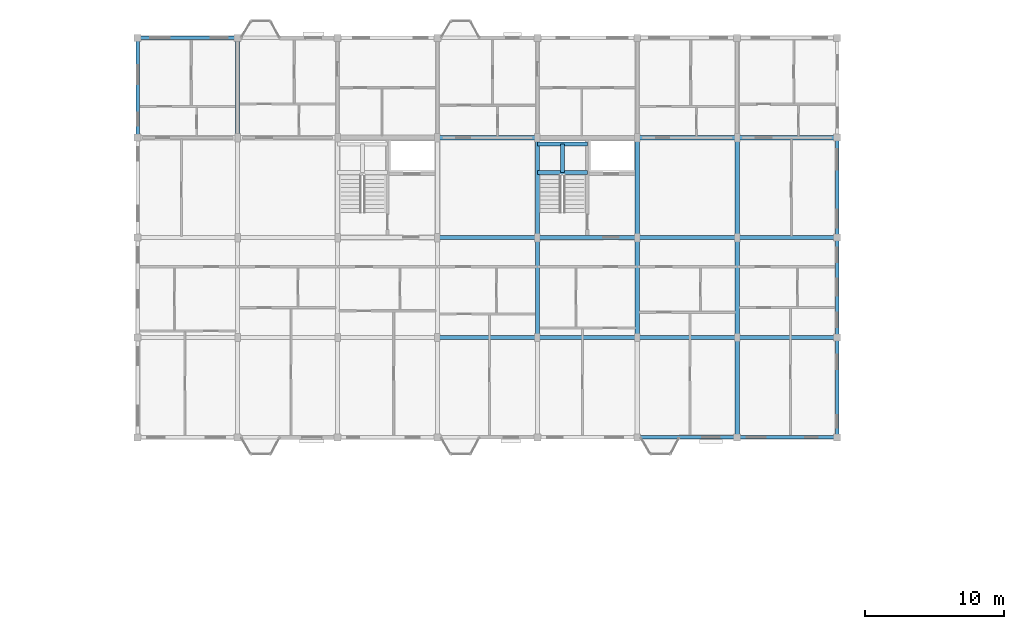
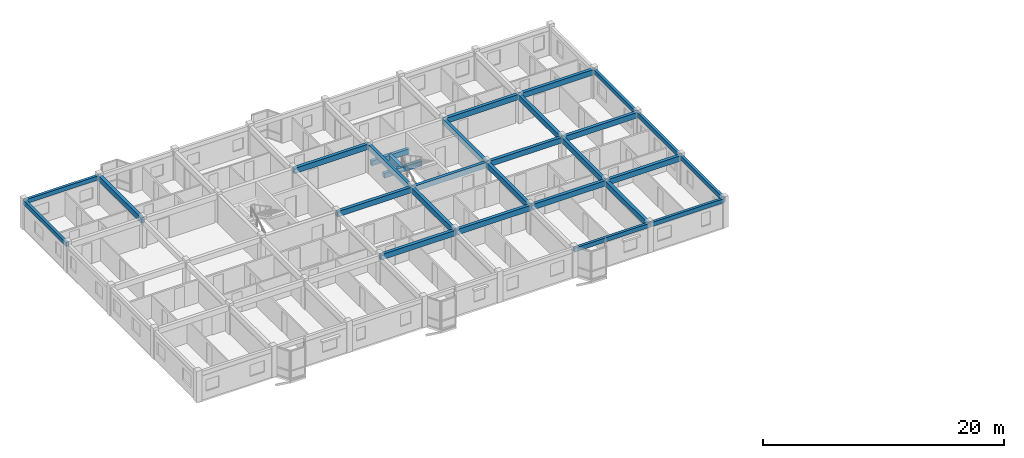
# One storey, part 36 of 65: 29 beams.
"""IFC4 building model written with IfcOpenShell, lengths in metres."""

from ifc_helpers import new_model, si_unit, direction, frame, origin, origin_2d, place, context, subcontext, project, spatial, rectangle, extrude, material, material_profile, profile_set, type_object, element, save


model = new_model("IFC4")

# Units and contexts
model_context = context("Model", 3, precision=1e-05, world=origin(), true_north=direction((0.0, 1.0)))
body_context = subcontext(model_context, "Body", "Model", "MODEL_VIEW")
ifc_project = project(units=[si_unit("LENGTHUNIT", "METRE"), si_unit("AREAUNIT", "SQUARE_METRE"), si_unit("VOLUMEUNIT", "CUBIC_METRE"), si_unit("PLANEANGLEUNIT", "RADIAN"), si_unit("MASSUNIT", "GRAM", prefix="KILO"), si_unit("THERMODYNAMICTEMPERATUREUNIT", "KELVIN"), si_unit("POWERUNIT", "WATT")], contexts=[model_context])

# Site, building, storey
site_placement = place(None, origin())
site = spatial("IfcSite", under=ifc_project, at=site_placement, CompositionType="ELEMENT")
building_placement = place(site_placement, origin())
building = spatial("IfcBuilding", under=site, at=building_placement, Name="Tavuni Mirador Residences", CompositionType="ELEMENT")
storey_placement = place(building_placement, frame((0.0, 0.0, 29.699951171875)))
storey = spatial("IfcBuildingStorey", under=building, at=storey_placement, Name="L09", CompositionType="ELEMENT", Elevation=29.699951171875)

# Beams
ifc_material = material(Name="Precast concrete C40/50", Category="concrete")
ifc_material_profile_1 = material_profile(ifc_material, rectangle(XDim=0.300048828125, YDim=0.5, at=origin_2d()), Name="PC 300x500", Category="concrete")
ifc_profile_set_1 = profile_set([ifc_material_profile_1], Name="Precast concrete C40/50")
beam_type_1 = type_object("IfcBeamType", Name="BT-B500", PredefinedType="BEAM", material=ifc_profile_set_1)
for number, where, z_axis, x_axis, name in (
    (1, (39.60009765625, 163.10009765625, 1.14501953125), (1.0, 0.0, 0.0), (0.0, 1.0, 0.0), "HLB1-C6-L09"),
    (2, (39.60009765625, 165.14990234375, 1.14501953125), (1.0, 0.0, 0.0), (0.0, 1.0, 0.0), "HLB2-C6-L09"),
):
    element("IfcBeam", number, at=place(storey_placement, frame(where, z_axis=z_axis, x_axis=x_axis)), inside=storey, type_object=beam_type_1, Name=name, PredefinedType="BEAM", context=body_context, shape_type="SweptSolid", body=[
        extrude(rectangle(XDim=0.300048828125, YDim=0.5, at=origin_2d()), origin(), (0.0, 0.0, 1.0), 3.599853515625),
    ])
beam_1_placement = place(storey_placement, frame((41.39990234375, 163.10009765625, 1.14501953125), z_axis=(0.0, 1.0, 0.0), x_axis=(-1.0, 0.0, 0.0)))
element("IfcBeam", 3, at=beam_1_placement, inside=storey, type_object=beam_type_1, Name="HLB3-C6-L09", PredefinedType="BEAM", context=body_context, shape_type="SweptSolid", body=[
    extrude(rectangle(XDim=0.300048828125, YDim=0.5, at=origin_2d()), origin(), (0.0, 0.0, 1.0), 2.0498046875),
])
ifc_material_profile_2 = material_profile(ifc_material, rectangle(XDim=0.300048828125, YDim=0.550048828125, at=origin_2d()), Name="PC 300x550", Category="concrete")
ifc_profile_set_2 = profile_set([ifc_material_profile_2], Name="Precast concrete C40/50")
beam_type_2 = type_object("IfcBeamType", Name="BT-B550", PredefinedType="BEAM", material=ifc_profile_set_2)
beam_2_placement = place(storey_placement, frame((32.39990234375, 151.199951171875, 2.610107421875), z_axis=(1.0, 0.0, 0.0), x_axis=(0.0, 1.0, 0.0)))
element("IfcBeam", 4, at=beam_2_placement, inside=storey, type_object=beam_type_2, Name="BMX-BLK-C-L09-03-01", PredefinedType="BEAM", context=body_context, shape_type="SweptSolid", body=[
    extrude(rectangle(XDim=0.300048828125, YDim=0.550048828125, at=origin_2d()), origin(), (0.0, 0.0, 1.0), 7.2001953125),
])
for number, where, z_axis, x_axis, name in (
    (5, (39.60009765625, 151.199951171875, 2.610107421875), (1.0, 0.0, 0.0), (0.0, 1.0, 0.0), "BMX-BLK-C-L09-04-01"),
    (6, (46.800048828125, 151.199951171875, 2.610107421875), (1.0, 0.0, 0.0), (0.0, 1.0, 0.0), "BMX-BLK-C-L09-05-01"),
    (7, (54.0, 151.199951171875, 2.610107421875), (1.0, 0.0, 0.0), (0.0, 1.0, 0.0), "BMX-BLK-C-L09-06-01"),
):
    element("IfcBeam", number, at=place(storey_placement, frame(where, z_axis=z_axis, x_axis=x_axis)), inside=storey, type_object=beam_type_2, Name=name, PredefinedType="BEAM", context=body_context, shape_type="SweptSolid", body=[
        extrude(rectangle(XDim=0.300048828125, YDim=0.550048828125, at=origin_2d()), origin(), (0.0, 0.0, 1.0), 7.199951171875),
    ])
beam_3_placement = place(storey_placement, frame((32.39990234375, 158.39990234375, 2.610107421875), z_axis=(1.0, 0.0, 0.0), x_axis=(0.0, 1.0, 0.0)))
element("IfcBeam", 8, at=beam_3_placement, inside=storey, type_object=beam_type_2, Name="BMX-BLK-C-L09-03-02", PredefinedType="BEAM", context=body_context, shape_type="SweptSolid", body=[
    extrude(rectangle(XDim=0.300048828125, YDim=0.550048828125, at=origin_2d()), origin(), (0.0, 0.0, 1.0), 7.2001953125),
])
for number, where, z_axis, x_axis, name in (
    (9, (39.60009765625, 158.39990234375, 2.610107421875), (1.0, 0.0, 0.0), (0.0, 1.0, 0.0), "BMX-BLK-C-L09-04-02"),
    (10, (46.800048828125, 158.39990234375, 2.610107421875), (1.0, 0.0, 0.0), (0.0, 1.0, 0.0), "BMX-BLK-C-L09-05-02"),
    (11, (54.0, 158.39990234375, 2.610107421875), (1.0, 0.0, 0.0), (0.0, 1.0, 0.0), "BMX-BLK-C-L09-06-02"),
):
    element("IfcBeam", number, at=place(storey_placement, frame(where, z_axis=z_axis, x_axis=x_axis)), inside=storey, type_object=beam_type_2, Name=name, PredefinedType="BEAM", context=body_context, shape_type="SweptSolid", body=[
        extrude(rectangle(XDim=0.300048828125, YDim=0.550048828125, at=origin_2d()), origin(), (0.0, 0.0, 1.0), 7.199951171875),
    ])
beam_4_placement = place(storey_placement, frame((32.39990234375, 165.60009765625, 2.610107421875), z_axis=(1.0, 0.0, 0.0), x_axis=(0.0, 1.0, 0.0)))
element("IfcBeam", 12, at=beam_4_placement, inside=storey, type_object=beam_type_2, Name="BMX-BLK-C-L09-03-03", PredefinedType="BEAM", context=body_context, shape_type="SweptSolid", body=[
    extrude(rectangle(XDim=0.300048828125, YDim=0.550048828125, at=origin_2d()), origin(), (0.0, 0.0, 1.0), 7.2001953125),
])
for number, where, z_axis, x_axis, name in (
    (13, (46.800048828125, 165.60009765625, 2.610107421875), (1.0, 0.0, 0.0), (0.0, 1.0, 0.0), "BMX-BLK-C-L09-05-03"),
    (14, (54.0, 165.60009765625, 2.610107421875), (1.0, 0.0, 0.0), (0.0, 1.0, 0.0), "BMX-BLK-C-L09-06-03"),
    (15, (18.0, 165.60009765625, 2.610107421875), (0.0, 1.0, 0.0), (-1.0, 0.0, 0.0), "BMY-BLK-C-L09-01-03"),
    (16, (39.60009765625, 151.199951171875, 2.610107421875), (0.0, 1.0, 0.0), (-1.0, 0.0, 0.0), "BMY-BLK-C-L09-04-01"),
):
    element("IfcBeam", number, at=place(storey_placement, frame(where, z_axis=z_axis, x_axis=x_axis)), inside=storey, type_object=beam_type_2, Name=name, PredefinedType="BEAM", context=body_context, shape_type="SweptSolid", body=[
        extrude(rectangle(XDim=0.300048828125, YDim=0.550048828125, at=origin_2d()), origin(), (0.0, 0.0, 1.0), 7.199951171875),
    ])
beam_5_placement = place(storey_placement, frame((39.60009765625, 158.39990234375, 2.610107421875), z_axis=(0.0, 1.0, 0.0), x_axis=(-1.0, 0.0, 0.0)))
element("IfcBeam", 17, at=beam_5_placement, inside=storey, type_object=beam_type_2, Name="BMY-BLK-C-L09-04-02", PredefinedType="BEAM", context=body_context, shape_type="SweptSolid", body=[
    extrude(rectangle(XDim=0.300048828125, YDim=0.550048828125, at=origin_2d()), origin(), (0.0, 0.0, 1.0), 7.2001953125),
])
beam_6_placement = place(storey_placement, frame((46.800048828125, 151.199951171875, 2.610107421875), z_axis=(0.0, 1.0, 0.0), x_axis=(-1.0, 0.0, 0.0)))
element("IfcBeam", 18, at=beam_6_placement, inside=storey, type_object=beam_type_2, Name="BMY-BLK-C-L09-05-01", PredefinedType="BEAM", context=body_context, shape_type="SweptSolid", body=[
    extrude(rectangle(XDim=0.300048828125, YDim=0.550048828125, at=origin_2d()), origin(), (0.0, 0.0, 1.0), 7.199951171875),
])
beam_7_placement = place(storey_placement, frame((46.800048828125, 158.39990234375, 2.610107421875), z_axis=(0.0, 1.0, 0.0), x_axis=(-1.0, 0.0, 0.0)))
element("IfcBeam", 19, at=beam_7_placement, inside=storey, type_object=beam_type_2, Name="BMY-BLK-C-L09-05-02", PredefinedType="BEAM", context=body_context, shape_type="SweptSolid", body=[
    extrude(rectangle(XDim=0.300048828125, YDim=0.550048828125, at=origin_2d()), origin(), (0.0, 0.0, 1.0), 7.2001953125),
])
for number, where, z_axis, x_axis, name in (
    (20, (54.0, 144.0, 2.610107421875), (0.0, 1.0, 0.0), (-1.0, 0.0, 0.0), "BMY-BLK-C-L09-06-00"),
    (21, (54.0, 151.199951171875, 2.610107421875), (0.0, 1.0, 0.0), (-1.0, 0.0, 0.0), "BMY-BLK-C-L09-06-01"),
):
    element("IfcBeam", number, at=place(storey_placement, frame(where, z_axis=z_axis, x_axis=x_axis)), inside=storey, type_object=beam_type_2, Name=name, PredefinedType="BEAM", context=body_context, shape_type="SweptSolid", body=[
        extrude(rectangle(XDim=0.300048828125, YDim=0.550048828125, at=origin_2d()), origin(), (0.0, 0.0, 1.0), 7.199951171875),
    ])
beam_8_placement = place(storey_placement, frame((54.0, 158.39990234375, 2.610107421875), z_axis=(0.0, 1.0, 0.0), x_axis=(-1.0, 0.0, 0.0)))
element("IfcBeam", 22, at=beam_8_placement, inside=storey, type_object=beam_type_2, Name="BMY-BLK-C-L09-06-02", PredefinedType="BEAM", context=body_context, shape_type="SweptSolid", body=[
    extrude(rectangle(XDim=0.300048828125, YDim=0.550048828125, at=origin_2d()), origin(), (0.0, 0.0, 1.0), 7.2001953125),
])
ifc_material_profile_3 = material_profile(ifc_material, rectangle(XDim=0.25, YDim=0.419921875, at=origin_2d()), Name="PC 250x420", Category="concrete")
ifc_profile_set_3 = profile_set([ifc_material_profile_3], Name="Precast concrete C40/50")
beam_type_3 = type_object("IfcBeamType", Name="BT-SP420", PredefinedType="SPANDREL", material=ifc_profile_set_3)
for number, where, z_axis, x_axis, name in (
    (23, (46.800048828125, 144.0, 2.675048828125), (1.0, 0.0, 0.0), (0.0, 1.0, 0.0), "BMX-BLK-C-L09-05-00"),
    (24, (54.0, 144.0, 2.675048828125), (1.0, 0.0, 0.0), (0.0, 1.0, 0.0), "BMX-BLK-C-L09-06-00"),
    (25, (10.800048828125, 172.800048828125, 2.675048828125), (1.0, 0.0, 0.0), (0.0, 1.0, 0.0), "BMX-BLK-C-L09-00-04"),
    (26, (10.800048828125, 165.60009765625, 2.675048828125), (0.0, 1.0, 0.0), (-1.0, 0.0, 0.0), "BMY-BLK-C-L09-00-03"),
    (27, (61.199951171875, 144.0, 2.675048828125), (0.0, 1.0, 0.0), (-1.0, 0.0, 0.0), "BMY-BLK-C-L09-07-00"),
    (28, (61.199951171875, 151.199951171875, 2.675048828125), (0.0, 1.0, 0.0), (-1.0, 0.0, 0.0), "BMY-BLK-C-L09-07-01"),
):
    element("IfcBeam", number, at=place(storey_placement, frame(where, z_axis=z_axis, x_axis=x_axis)), inside=storey, type_object=beam_type_3, Name=name, PredefinedType="SPANDREL", context=body_context, shape_type="SweptSolid", body=[
        extrude(rectangle(XDim=0.25, YDim=0.419921875, at=origin_2d()), origin(), (0.0, 0.0, 1.0), 7.199951171875),
    ])
beam_9_placement = place(storey_placement, frame((61.199951171875, 158.39990234375, 2.675048828125), z_axis=(0.0, 1.0, 0.0), x_axis=(-1.0, 0.0, 0.0)))
element("IfcBeam", 29, at=beam_9_placement, inside=storey, type_object=beam_type_3, Name="BMY-BLK-C-L09-07-02", PredefinedType="SPANDREL", context=body_context, shape_type="SweptSolid", body=[
    extrude(rectangle(XDim=0.25, YDim=0.419921875, at=origin_2d()), origin(), (0.0, 0.0, 1.0), 7.2001953125),
])

save(model, "model.ifc")
